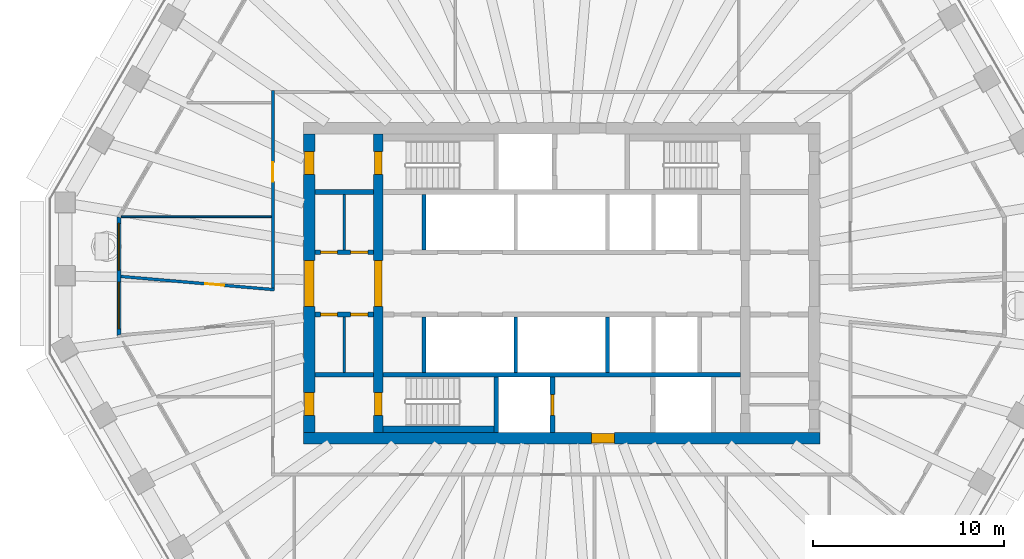
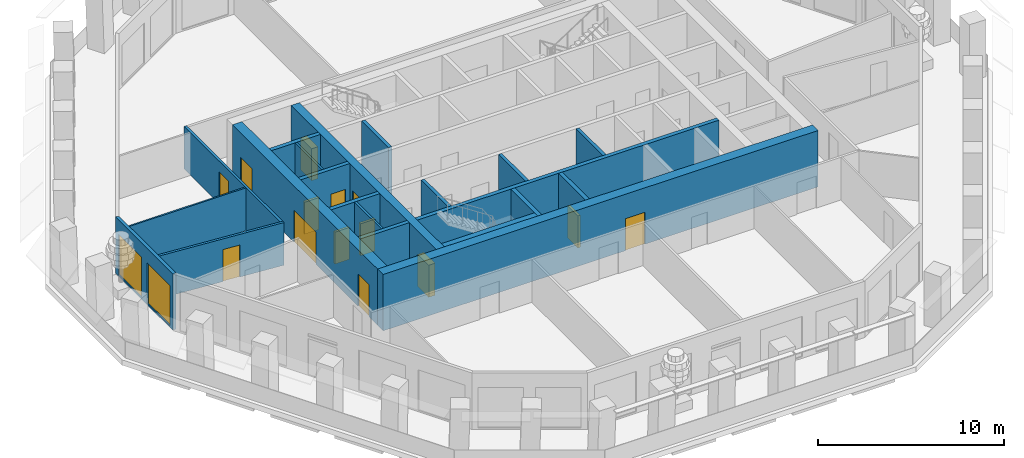
# One storey, part 4 of 12: 21 walls, 14 doors, 2 windows, 16 openings.
"""IFC4 building model written with IfcOpenShell, lengths in metres."""

from ifc_helpers import new_model, si_unit, direction, frame, frame_2d, origin, place, context, subcontext, project, spatial, polyline, rectangle, outline, extrude, material, layer, layer_set, type_object, element, fill, save


model = new_model("IFC4")

# Units and contexts
model_context = context("Model", 3, precision=1e-05, world=origin(), true_north=direction((0.0, 1.0)))
body_context = subcontext(model_context, "Body", "Model", "MODEL_VIEW")
ifc_project = project(units=[si_unit("LENGTHUNIT", "METRE"), si_unit("AREAUNIT", "SQUARE_METRE"), si_unit("VOLUMEUNIT", "CUBIC_METRE"), si_unit("PLANEANGLEUNIT", "RADIAN"), si_unit("MASSUNIT", "GRAM", prefix="KILO")], contexts=[model_context])

# Site, building, storey
site_placement = place(None, origin())
site = spatial("IfcSite", under=ifc_project, at=site_placement, CompositionType="ELEMENT")
building_placement = place(site_placement, origin())
building = spatial("IfcBuilding", under=site, at=building_placement, Name="Frailejon Research Tower", CompositionType="ELEMENT")
storey_placement = place(building_placement, frame((0.0, 0.0, 223.39990234375)))
storey = spatial("IfcBuildingStorey", under=building, at=storey_placement, Name="L48", CompositionType="ELEMENT", Elevation=223.39990234375)

# Walls
ifc_material_1 = material(Name="Plasterboard on steel studs", Category="steel")
ifc_layer_1 = layer(ifc_material_1, 0.125)
ifc_layer_set_1 = layer_set([ifc_layer_1], Name="Core partition 125")
wall_type_1 = type_object("IfcWallType", Name="Core partition 125", PredefinedType="PARTITIONING", material=ifc_layer_set_1)
for number, where, z_axis, x_axis, name in (
    (1, (-11.375, 1.75, 0.0), (0.0, 0.0, 1.0), (0.0, 1.0, 0.0), "Core partition"),
    (2, (-11.375, -4.64990234375, 0.0), (0.0, 0.0, 1.0), (0.0, 1.0, 0.0), "Core partition"),
):
    element("IfcWall", number, at=place(storey_placement, frame(where, z_axis=z_axis, x_axis=x_axis)), inside=storey, type_object=wall_type_1, Name=name, PredefinedType="PARTITIONING", context=body_context, shape_type="SweptSolid", body=[
        extrude(rectangle(XDim=2.89990234375, YDim=0.125, at=frame_2d((1.449951171875, 0.0))), origin(), (0.0, 0.0, 1.0), 3.7001953125),
    ])

# Wall, openings, doors
ifc_material_2 = material(Name="Concrete C60/75", Category="concrete")
ifc_layer_2 = layer(ifc_material_2, 0.5)
ifc_layer_set_2 = layer_set([ifc_layer_2], Name="Core shear wall 500 C60/75")
wall_type_2 = type_object("IfcWallType", Name="Core shear wall 500 C60/75", PredefinedType="SHEAR", material=ifc_layer_set_2)
wall_1_placement = place(storey_placement, frame((-9.60009765625, -7.800048828125, 0.0), z_axis=(0.0, 0.0, 1.0), x_axis=(0.0, 1.0, 0.0)))
wall_1 = element("IfcWall", 3, at=wall_1_placement, inside=storey, type_object=wall_type_2, Name="Core shear wall", PredefinedType="SHEAR", context=body_context, shape_type="SweptSolid", body=[
    extrude(rectangle(XDim=15.60009765625, YDim=0.5, at=frame_2d((7.800048828125, 0.0))), origin(), (0.0, 0.0, 1.0), 3.7001953125),
])
opening_1_placement = place(wall_1_placement, frame((6.60009765625, 0.0, 0.0)))
opening_1 = element("IfcOpeningElement", 4, at=opening_1_placement, cuts=wall_1, Name="Opening D2", PredefinedType="OPENING", context=body_context, shape_type="SweptSolid", body=[
    extrude(rectangle(XDim=2.39990234375, YDim=2.10009765625, at=frame_2d((1.199951171875, 1.050048828125))), frame((0.0, 0.260009765625, 0.0), z_axis=(0.0, -1.0, 0.0), x_axis=(1.0, 0.0, 0.0)), (0.0, 0.0, 1.0), 0.52001953125),
])
opening_2_placement = place(wall_1_placement, frame((13.5, 0.0, 0.0)))
opening_2 = element("IfcOpeningElement", 5, at=opening_2_placement, cuts=wall_1, Name="Opening D1", PredefinedType="OPENING", context=body_context, shape_type="SweptSolid", body=[
    extrude(rectangle(XDim=1.199951171875, YDim=2.10009765625, at=frame_2d((0.60009765625, 1.050048828125))), frame((0.0, 0.260009765625, 0.0), z_axis=(0.0, -1.0, 0.0), x_axis=(1.0, 0.0, 0.0)), (0.0, 0.0, 1.0), 0.52001953125),
])
opening_3_placement = place(wall_1_placement, frame((0.89990234375, 0.0, 0.0)))
opening_3 = element("IfcOpeningElement", 6, at=opening_3_placement, cuts=wall_1, Name="Opening D1", PredefinedType="OPENING", context=body_context, shape_type="SweptSolid", body=[
    extrude(rectangle(XDim=1.199951171875, YDim=2.10009765625, at=frame_2d((0.60009765625, 1.050048828125))), frame((0.0, 0.260009765625, 0.0), z_axis=(0.0, -1.0, 0.0), x_axis=(1.0, 0.0, 0.0)), (0.0, 0.0, 1.0), 0.52001953125),
])
ifc_material_3 = material(Name="Steel", Category="steel")
door_type_1 = type_object("IfcDoorType", Name="Lobby double door", OperationType="DOUBLE_DOOR_SINGLE_SWING", PredefinedType="DOOR", material=ifc_material_3)
door_1_placement = place(opening_1_placement, origin())
door_1 = element("IfcDoor", 7, at=door_1_placement, inside=storey, type_object=door_type_1, Name="Lobby door", OperationType="DOUBLE_DOOR_SINGLE_SWING", OverallHeight=2.10009765625, OverallWidth=2.39990234375, PredefinedType="DOOR", context=body_context, shape_type="SweptSolid", body=[
    extrude(rectangle(XDim=2.39990234375, YDim=2.10009765625, at=frame_2d((1.199951171875, 1.050048828125))), frame((0.0, 0.199951171875, 0.0), z_axis=(0.0, -1.0, 0.0), x_axis=(1.0, 0.0, 0.0)), (0.0, 0.0, 1.0), 0.39990234375),
])
fill(opening_1, door_1)
ifc_material_4 = material(Name="Steel", Category="steel")
door_type_2 = type_object("IfcDoorType", Name="Stair door", OperationType="SINGLE_SWING_LEFT", PredefinedType="DOOR", material=ifc_material_4)
door_2_placement = place(opening_2_placement, origin())
door_2 = element("IfcDoor", 8, at=door_2_placement, inside=storey, type_object=door_type_2, Name="Stair door ST1", OperationType="SINGLE_SWING_RIGHT", OverallHeight=2.10009765625, OverallWidth=1.199951171875, PredefinedType="DOOR", context=body_context, shape_type="SweptSolid", body=[
    extrude(rectangle(XDim=1.199951171875, YDim=2.10009765625, at=frame_2d((0.60009765625, 1.050048828125))), frame((0.0, 0.199951171875, 0.0), z_axis=(0.0, -1.0, 0.0), x_axis=(1.0, 0.0, 0.0)), (0.0, 0.0, 1.0), 0.39990234375),
])
fill(opening_2, door_2)
door_3_placement = place(opening_3_placement, origin())
door_3 = element("IfcDoor", 9, at=door_3_placement, inside=storey, type_object=door_type_2, Name="Stair door ST2", OperationType="SINGLE_SWING_RIGHT", OverallHeight=2.10009765625, OverallWidth=1.199951171875, PredefinedType="DOOR", context=body_context, shape_type="SweptSolid", body=[
    extrude(rectangle(XDim=1.199951171875, YDim=2.10009765625, at=frame_2d((0.60009765625, 1.050048828125))), frame((0.0, 0.199951171875, 0.0), z_axis=(0.0, -1.0, 0.0), x_axis=(1.0, 0.0, 0.0)), (0.0, 0.0, 1.0), 0.39990234375),
])
fill(opening_3, door_3)

# Wall, opening, door
ifc_material_5 = material(Name="Concrete C60/75", Category="concrete")
ifc_layer_3 = layer(ifc_material_5, 0.60009765625)
ifc_layer_set_3 = layer_set([ifc_layer_3], Name="Core shear wall 600 C60/75")
wall_type_3 = type_object("IfcWallType", Name="Core shear wall 600 C60/75", PredefinedType="SHEAR", material=ifc_layer_set_3)
wall_2_placement = place(storey_placement, frame((-13.5, -8.10009765625, 0.0), z_axis=(0.0, 0.0, 1.0), x_axis=(1.0, 0.0, 0.0)))
wall_2 = element("IfcWall", 10, at=wall_2_placement, inside=storey, type_object=wall_type_3, Name="Core shear wall", PredefinedType="SHEAR", context=body_context, shape_type="SweptSolid", body=[
    extrude(rectangle(XDim=27.0, YDim=0.60009765625, at=frame_2d((13.5, 0.0))), origin(), (0.0, 0.0, 1.0), 3.7001953125),
])
opening_4_placement = place(wall_2_placement, frame((15.050048828125, 0.0, 0.0)))
opening_4 = element("IfcOpeningElement", 11, at=opening_4_placement, cuts=wall_2, Name="Opening D3", PredefinedType="OPENING", context=body_context, shape_type="SweptSolid", body=[
    extrude(rectangle(XDim=1.199951171875, YDim=2.10009765625, at=frame_2d((0.60009765625, 1.050048828125))), frame((0.0, 0.31005859375, 0.0), z_axis=(0.0, -1.0, 0.0), x_axis=(1.0, 0.0, 0.0)), (0.0, 0.0, 1.0), 0.6201171875),
])
ifc_material_6 = material(Name="Steel", Category="steel")
door_type_3 = type_object("IfcDoorType", Name="Firefighting lobby door", OperationType="SINGLE_SWING_LEFT", PredefinedType="DOOR", material=ifc_material_6)
door_4_placement = place(opening_4_placement, origin())
door_4 = element("IfcDoor", 12, at=door_4_placement, inside=storey, type_object=door_type_3, Name="Firefighting lobby door", OperationType="SINGLE_SWING_RIGHT", OverallHeight=2.10009765625, OverallWidth=1.199951171875, PredefinedType="DOOR", context=body_context, shape_type="SweptSolid", body=[
    extrude(rectangle(XDim=1.199951171875, YDim=2.10009765625, at=frame_2d((0.60009765625, 1.050048828125))), frame((0.0, 0.25, 0.0), z_axis=(0.0, -1.0, 0.0), x_axis=(1.0, 0.0, 0.0)), (0.0, 0.0, 1.0), 0.5),
])
fill(opening_4, door_4)

# Wall, openings, doors
wall_3_placement = place(storey_placement, frame((-13.199951171875, -7.800048828125, 0.0), z_axis=(0.0, 0.0, 1.0), x_axis=(0.0, 1.0, 0.0)))
wall_3 = element("IfcWall", 13, at=wall_3_placement, inside=storey, type_object=wall_type_3, Name="Core shear wall", PredefinedType="SHEAR", context=body_context, shape_type="SweptSolid", body=[
    extrude(rectangle(XDim=15.60009765625, YDim=0.60009765625, at=frame_2d((7.800048828125, 0.0))), origin(), (0.0, 0.0, 1.0), 3.7001953125),
])
opening_5_placement = place(wall_3_placement, frame((6.60009765625, 0.0, 0.0)))
opening_5 = element("IfcOpeningElement", 14, at=opening_5_placement, cuts=wall_3, Name="Opening D2", PredefinedType="OPENING", context=body_context, shape_type="SweptSolid", body=[
    extrude(rectangle(XDim=2.39990234375, YDim=2.10009765625, at=frame_2d((1.199951171875, 1.050048828125))), frame((0.0, 0.31005859375, 0.0), z_axis=(0.0, -1.0, 0.0), x_axis=(1.0, 0.0, 0.0)), (0.0, 0.0, 1.0), 0.6201171875),
])
opening_6_placement = place(wall_3_placement, frame((13.5, 0.0, 0.0)))
opening_6 = element("IfcOpeningElement", 15, at=opening_6_placement, cuts=wall_3, Name="Opening D7", PredefinedType="OPENING", context=body_context, shape_type="SweptSolid", body=[
    extrude(rectangle(XDim=1.199951171875, YDim=2.10009765625, at=frame_2d((0.60009765625, 1.050048828125))), frame((0.0, 0.31005859375, 0.0), z_axis=(0.0, -1.0, 0.0), x_axis=(1.0, 0.0, 0.0)), (0.0, 0.0, 1.0), 0.6201171875),
])
opening_7_placement = place(wall_3_placement, frame((0.89990234375, 0.0, 0.0)))
opening_7 = element("IfcOpeningElement", 16, at=opening_7_placement, cuts=wall_3, Name="Opening D7", PredefinedType="OPENING", context=body_context, shape_type="SweptSolid", body=[
    extrude(rectangle(XDim=1.199951171875, YDim=2.10009765625, at=frame_2d((0.60009765625, 1.050048828125))), frame((0.0, 0.31005859375, 0.0), z_axis=(0.0, -1.0, 0.0), x_axis=(1.0, 0.0, 0.0)), (0.0, 0.0, 1.0), 0.6201171875),
])
door_5_placement = place(opening_5_placement, origin())
door_5 = element("IfcDoor", 17, at=door_5_placement, inside=storey, type_object=door_type_1, Name="Lobby door", OperationType="DOUBLE_DOOR_SINGLE_SWING", OverallHeight=2.10009765625, OverallWidth=2.39990234375, PredefinedType="DOOR", context=body_context, shape_type="SweptSolid", body=[
    extrude(rectangle(XDim=2.39990234375, YDim=2.10009765625, at=frame_2d((1.199951171875, 1.050048828125))), frame((0.0, 0.25, 0.0), z_axis=(0.0, -1.0, 0.0), x_axis=(1.0, 0.0, 0.0)), (0.0, 0.0, 1.0), 0.5),
])
fill(opening_5, door_5)
ifc_material_7 = material(Name="Steel", Category="steel")
door_type_4 = type_object("IfcDoorType", Name="Stair exit door", OperationType="SINGLE_SWING_LEFT", PredefinedType="DOOR", material=ifc_material_7)
door_6_placement = place(opening_6_placement, origin())
door_6 = element("IfcDoor", 18, at=door_6_placement, inside=storey, type_object=door_type_4, Name="Stair exit door ST1", OperationType="SINGLE_SWING_LEFT", OverallHeight=2.10009765625, OverallWidth=1.199951171875, PredefinedType="DOOR", context=body_context, shape_type="SweptSolid", body=[
    extrude(rectangle(XDim=1.199951171875, YDim=2.10009765625, at=frame_2d((0.60009765625, 1.050048828125))), frame((0.0, 0.25, 0.0), z_axis=(0.0, -1.0, 0.0), x_axis=(1.0, 0.0, 0.0)), (0.0, 0.0, 1.0), 0.5),
])
fill(opening_6, door_6)
door_7_placement = place(opening_7_placement, origin())
door_7 = element("IfcDoor", 19, at=door_7_placement, inside=storey, type_object=door_type_4, Name="Stair exit door ST2", OperationType="SINGLE_SWING_LEFT", OverallHeight=2.10009765625, OverallWidth=1.199951171875, PredefinedType="DOOR", context=body_context, shape_type="SweptSolid", body=[
    extrude(rectangle(XDim=1.199951171875, YDim=2.10009765625, at=frame_2d((0.60009765625, 1.050048828125))), frame((0.0, 0.25, 0.0), z_axis=(0.0, -1.0, 0.0), x_axis=(1.0, 0.0, 0.0)), (0.0, 0.0, 1.0), 0.5),
])
fill(opening_7, door_7)

# Wall, opening, door
ifc_material_8 = material(Name="Gypsum board and masonry partition", Category="masonry")
ifc_layer_4 = layer(ifc_material_8, 0.14990234375)
ifc_layer_set_4 = layer_set([ifc_layer_4], Name="Corridor wall EI 60, gypsum on steel studs 150")
wall_type_4 = type_object("IfcWallType", Name="Corridor wall EI 60, gypsum on steel studs 150", PredefinedType="PARTITIONING", material=ifc_layer_set_4)
wall_4_placement = place(storey_placement, frame((-15.10009765625, -0.24951171875, 0.0), z_axis=(0.0, 0.0, 1.0), x_axis=(0.0, 1.0, 0.0)))
wall_4 = element("IfcWall", 20, at=wall_4_placement, inside=storey, type_object=wall_type_4, Name="T:IW:L48:005", PredefinedType="PARTITIONING", context=body_context, shape_type="SweptSolid", body=[
    extrude(rectangle(XDim=10.324462890625, YDim=0.14990234375, at=frame_2d((5.162109375, 0.0))), origin(), (0.0, 0.0, 1.0), 2.800048828125),
])
opening_8_placement = place(wall_4_placement, frame((5.5732421875, 0.0, 0.0)))
opening_8 = element("IfcOpeningElement", 21, at=opening_8_placement, cuts=wall_4, Name="Opening D1980", PredefinedType="OPENING", context=body_context, shape_type="SweptSolid", body=[
    extrude(rectangle(XDim=1.0, YDim=2.10009765625, at=frame_2d((0.5, 1.050048828125))), frame((0.0, 0.0849609375, 0.0), z_axis=(0.0, -1.0, 0.0), x_axis=(1.0, 0.0, 0.0)), (0.0, 0.0, 1.0), 0.169921875),
])
ifc_material_9 = material(Name="Timber door leaf", Category="wood")
door_type_5 = type_object("IfcDoorType", Name="Door single leaf, timber, steel frame 1000", OperationType="NOTDEFINED", PredefinedType="DOOR", material=ifc_material_9)
door_8_placement = place(opening_8_placement, origin())
door_8 = element("IfcDoor", 22, at=door_8_placement, inside=storey, type_object=door_type_5, Name="D1980", OperationType="SINGLE_SWING_RIGHT", OverallHeight=2.10009765625, OverallWidth=1.0, PredefinedType="DOOR", context=body_context, shape_type="SweptSolid", body=[
    extrude(rectangle(XDim=1.0, YDim=2.10009765625, at=frame_2d((0.5, 1.050048828125))), frame((0.0, 0.02490234375, 0.0), z_axis=(0.0, -1.0, 0.0), x_axis=(1.0, 0.0, 0.0)), (0.0, 0.0, 1.0), 0.050048828125),
])
fill(opening_8, door_8)

wall_5_placement = place(storey_placement, frame((-23.052001953125, 0.35986328125, 0.0), z_axis=(0.0, 0.0, 1.0), x_axis=(0.996318303702, -0.085731194488, 0.0)))
wall_5 = element("IfcWall", 23, at=wall_5_placement, inside=storey, type_object=wall_type_4, Name="T:IW:L48:007", PredefinedType="PARTITIONING", context=body_context, shape_type="SweptSolid", body=[
    extrude(rectangle(XDim=8.05615234375, YDim=0.14990234375, at=frame_2d((4.028076171875, 0.0))), origin(), (0.0, 0.0, 1.0), 2.800048828125),
])
opening_9_placement = place(wall_5_placement, frame((4.43310546875, 0.0, 0.0)))
opening_9 = element("IfcOpeningElement", 24, at=opening_9_placement, cuts=wall_5, Name="Opening D1981", PredefinedType="OPENING", context=body_context, shape_type="SweptSolid", body=[
    extrude(rectangle(XDim=1.0, YDim=2.10009765625, at=frame_2d((0.5, 1.050048828125))), frame((0.0, 0.0849609375, 0.0), z_axis=(0.0, -1.0, 0.0), x_axis=(1.0, 0.0, 0.0)), (0.0, 0.0, 1.0), 0.169921875),
])
door_9_placement = place(opening_9_placement, origin())
door_9 = element("IfcDoor", 25, at=door_9_placement, inside=storey, type_object=door_type_5, Name="D1981", OperationType="SINGLE_SWING_RIGHT", OverallHeight=2.10009765625, OverallWidth=1.0, PredefinedType="DOOR", context=body_context, shape_type="SweptSolid", body=[
    extrude(rectangle(XDim=1.0, YDim=2.10009765625, at=frame_2d((0.5, 1.050048828125))), frame((0.0, 0.02490234375, 0.0), z_axis=(0.0, -1.0, 0.0), x_axis=(1.0, 0.0, 0.0)), (0.0, 0.0, 1.0), 0.050048828125),
])
fill(opening_9, door_9)

# Walls
ifc_material_10 = material(Name="Gypsum board and masonry partition", Category="masonry")
ifc_layer_5 = layer(ifc_material_10, 0.10009765625)
ifc_layer_set_5 = layer_set([ifc_layer_5], Name="Partition, gypsum on steel studs 100")
wall_type_5 = type_object("IfcWallType", Name="Partition, gypsum on steel studs 100", PredefinedType="PARTITIONING", material=ifc_layer_set_5)
wall_6_placement = place(storey_placement, frame((-23.021240234375, 3.48046875, 0.0), z_axis=(0.0, 0.0, 1.0), x_axis=(1.0, 0.0, 0.0)))
element("IfcWall", 26, at=wall_6_placement, inside=storey, type_object=wall_type_5, Name="T:IW:L48:017", PredefinedType="PARTITIONING", context=body_context, shape_type="SweptSolid", body=[
    extrude(rectangle(XDim=7.84619140625, YDim=0.10009765625, at=frame_2d((3.923095703125, 0.0))), origin(), (0.0, 0.0, 1.0), 2.800048828125),
])
ifc_material_11 = material(Name="Concrete C60/75", Category="concrete")
ifc_layer_6 = layer(ifc_material_11, 0.199951171875)
ifc_layer_set_6 = layer_set([ifc_layer_6], Name="Shaft wall 200 C60/75")
wall_type_6 = type_object("IfcWallType", Name="Shaft wall 200 C60/75", PredefinedType="SOLIDWALL", material=ifc_layer_set_6)
for number, where, z_axis, x_axis, name in (
    (27, (-7.199951171875, 1.75, 0.0), (0.0, 0.0, 1.0), (0.0, 1.0, 0.0), "Shaft wall"),
    (28, (-7.199951171875, -4.64990234375, 0.0), (0.0, 0.0, 1.0), (0.0, 1.0, 0.0), "Shaft wall"),
    (29, (-2.39990234375, -4.64990234375, 0.0), (0.0, 0.0, 1.0), (0.0, 1.0, 0.0), "Shaft wall"),
    (30, (2.39990234375, -4.64990234375, 0.0), (0.0, 0.0, 1.0), (0.0, 1.0, 0.0), "Shaft wall"),
):
    element("IfcWall", number, at=place(storey_placement, frame(where, z_axis=z_axis, x_axis=x_axis)), inside=storey, type_object=wall_type_6, Name=name, PredefinedType="SOLIDWALL", context=body_context, shape_type="SweptSolid", body=[
        extrude(rectangle(XDim=2.89990234375, YDim=0.199951171875, at=frame_2d((1.449951171875, 0.0))), origin(), (0.0, 0.0, 1.0), 3.7001953125),
    ])

# Wall, openings, doors
ifc_material_12 = material(Name="Concrete C60/75", Category="concrete")
ifc_layer_7 = layer(ifc_material_12, 0.25)
ifc_layer_set_7 = layer_set([ifc_layer_7], Name="Shaft wall 250 C60/75")
wall_type_7 = type_object("IfcWallType", Name="Shaft wall 250 C60/75", PredefinedType="SOLIDWALL", material=ifc_layer_set_7)
wall_7_placement = place(storey_placement, frame((-12.89990234375, 1.625, 0.0), z_axis=(0.0, 0.0, 1.0), x_axis=(1.0, 0.0, 0.0)))
wall_7 = element("IfcWall", 31, at=wall_7_placement, inside=storey, type_object=wall_type_7, Name="Shaft wall", PredefinedType="SOLIDWALL", context=body_context, shape_type="SweptSolid", body=[
    extrude(rectangle(XDim=3.0498046875, YDim=0.25, at=frame_2d((1.52490234375, 0.0))), origin(), (0.0, 0.0, 1.0), 3.7001953125),
])
opening_10_placement = place(wall_7_placement, frame((0.28125, 0.0, 0.0)))
opening_10 = element("IfcOpeningElement", 32, at=opening_10_placement, cuts=wall_7, Name="Opening D8", PredefinedType="OPENING", context=body_context, shape_type="SweptSolid", body=[
    extrude(rectangle(XDim=0.89990234375, YDim=2.10009765625, at=frame_2d((0.449951171875, 1.050048828125))), frame((0.0, 0.135009765625, 0.0), z_axis=(0.0, -1.0, 0.0), x_axis=(1.0, 0.0, 0.0)), (0.0, 0.0, 1.0), 0.27001953125),
])
opening_11_placement = place(wall_7_placement, frame((1.86865234375, 0.0, 0.0)))
opening_11 = element("IfcOpeningElement", 33, at=opening_11_placement, cuts=wall_7, Name="Opening D8", PredefinedType="OPENING", context=body_context, shape_type="SweptSolid", body=[
    extrude(rectangle(XDim=0.89990234375, YDim=2.10009765625, at=frame_2d((0.449951171875, 1.050048828125))), frame((0.0, 0.135009765625, 0.0), z_axis=(0.0, -1.0, 0.0), x_axis=(1.0, 0.0, 0.0)), (0.0, 0.0, 1.0), 0.27001953125),
])
ifc_material_13 = material(Name="Steel", Category="steel")
door_type_6 = type_object("IfcDoorType", Name="Core room door", OperationType="SINGLE_SWING_LEFT", PredefinedType="DOOR", material=ifc_material_13)
door_10_placement = place(opening_10_placement, origin())
door_10 = element("IfcDoor", 34, at=door_10_placement, inside=storey, type_object=door_type_6, Name="Room door", OperationType="SINGLE_SWING_LEFT", OverallHeight=2.10009765625, OverallWidth=0.89990234375, PredefinedType="DOOR", context=body_context, shape_type="SweptSolid", body=[
    extrude(rectangle(XDim=0.89990234375, YDim=2.10009765625, at=frame_2d((0.449951171875, 1.050048828125))), frame((0.0, 0.074951171875, 0.0), z_axis=(0.0, -1.0, 0.0), x_axis=(1.0, 0.0, 0.0)), (0.0, 0.0, 1.0), 0.14990234375),
])
fill(opening_10, door_10)
door_11_placement = place(opening_11_placement, origin())
door_11 = element("IfcDoor", 35, at=door_11_placement, inside=storey, type_object=door_type_6, Name="Room door", OperationType="SINGLE_SWING_RIGHT", OverallHeight=2.10009765625, OverallWidth=0.89990234375, PredefinedType="DOOR", context=body_context, shape_type="SweptSolid", body=[
    extrude(rectangle(XDim=0.89990234375, YDim=2.10009765625, at=frame_2d((0.449951171875, 1.050048828125))), frame((0.0, 0.074951171875, 0.0), z_axis=(0.0, -1.0, 0.0), x_axis=(1.0, 0.0, 0.0)), (0.0, 0.0, 1.0), 0.14990234375),
])
fill(opening_11, door_11)

# Wall
wall_8_placement = place(storey_placement, frame((-12.89990234375, 4.77490234375, 0.0), z_axis=(0.0, 0.0, 1.0), x_axis=(1.0, 0.0, 0.0)))
element("IfcWall", 36, at=wall_8_placement, inside=storey, type_object=wall_type_7, Name="Shaft wall", PredefinedType="SOLIDWALL", context=body_context, shape_type="SweptSolid", body=[
    extrude(rectangle(XDim=3.0498046875, YDim=0.25, at=frame_2d((1.52490234375, 0.0))), origin(), (0.0, 0.0, 1.0), 3.7001953125),
])

# Wall, openings, doors
wall_9_placement = place(storey_placement, frame((-12.89990234375, -1.625, 0.0), z_axis=(0.0, 0.0, 1.0), x_axis=(1.0, 0.0, 0.0)))
wall_9 = element("IfcWall", 37, at=wall_9_placement, inside=storey, type_object=wall_type_7, Name="Shaft wall", PredefinedType="SOLIDWALL", context=body_context, shape_type="SweptSolid", body=[
    extrude(rectangle(XDim=3.0498046875, YDim=0.25, at=frame_2d((1.52490234375, 0.0))), origin(), (0.0, 0.0, 1.0), 3.7001953125),
])
opening_12_placement = place(wall_9_placement, frame((0.28125, 0.0, 0.0)))
opening_12 = element("IfcOpeningElement", 38, at=opening_12_placement, cuts=wall_9, Name="Opening D8", PredefinedType="OPENING", context=body_context, shape_type="SweptSolid", body=[
    extrude(rectangle(XDim=0.89990234375, YDim=2.10009765625, at=frame_2d((0.449951171875, 1.050048828125))), frame((0.0, 0.135009765625, 0.0), z_axis=(0.0, -1.0, 0.0), x_axis=(1.0, 0.0, 0.0)), (0.0, 0.0, 1.0), 0.27001953125),
])
opening_13_placement = place(wall_9_placement, frame((1.86865234375, 0.0, 0.0)))
opening_13 = element("IfcOpeningElement", 39, at=opening_13_placement, cuts=wall_9, Name="Opening D8", PredefinedType="OPENING", context=body_context, shape_type="SweptSolid", body=[
    extrude(rectangle(XDim=0.89990234375, YDim=2.10009765625, at=frame_2d((0.449951171875, 1.050048828125))), frame((0.0, 0.135009765625, 0.0), z_axis=(0.0, -1.0, 0.0), x_axis=(1.0, 0.0, 0.0)), (0.0, 0.0, 1.0), 0.27001953125),
])
door_12_placement = place(opening_12_placement, origin())
door_12 = element("IfcDoor", 40, at=door_12_placement, inside=storey, type_object=door_type_6, Name="Room door", OperationType="SINGLE_SWING_RIGHT", OverallHeight=2.10009765625, OverallWidth=0.89990234375, PredefinedType="DOOR", context=body_context, shape_type="SweptSolid", body=[
    extrude(rectangle(XDim=0.89990234375, YDim=2.10009765625, at=frame_2d((0.449951171875, 1.050048828125))), frame((0.0, 0.074951171875, 0.0), z_axis=(0.0, -1.0, 0.0), x_axis=(1.0, 0.0, 0.0)), (0.0, 0.0, 1.0), 0.14990234375),
])
fill(opening_12, door_12)
door_13_placement = place(opening_13_placement, origin())
door_13 = element("IfcDoor", 41, at=door_13_placement, inside=storey, type_object=door_type_6, Name="Room door", OperationType="SINGLE_SWING_LEFT", OverallHeight=2.10009765625, OverallWidth=0.89990234375, PredefinedType="DOOR", context=body_context, shape_type="SweptSolid", body=[
    extrude(rectangle(XDim=0.89990234375, YDim=2.10009765625, at=frame_2d((0.449951171875, 1.050048828125))), frame((0.0, 0.074951171875, 0.0), z_axis=(0.0, -1.0, 0.0), x_axis=(1.0, 0.0, 0.0)), (0.0, 0.0, 1.0), 0.14990234375),
])
fill(opening_13, door_13)

# Walls
wall_10_placement = place(storey_placement, frame((-12.89990234375, -4.77490234375, 0.0), z_axis=(0.0, 0.0, 1.0), x_axis=(1.0, 0.0, 0.0)))
element("IfcWall", 42, at=wall_10_placement, inside=storey, type_object=wall_type_7, Name="Shaft wall", PredefinedType="SOLIDWALL", context=body_context, shape_type="SweptSolid", body=[
    extrude(rectangle(XDim=3.0498046875, YDim=0.25, at=frame_2d((1.52490234375, 0.0))), origin(), (0.0, 0.0, 1.0), 3.7001953125),
])
wall_11_placement = place(storey_placement, frame((-9.35009765625, -4.77490234375, 0.0), z_axis=(0.0, 0.0, 1.0), x_axis=(1.0, 0.0, 0.0)))
element("IfcWall", 43, at=wall_11_placement, inside=storey, type_object=wall_type_7, Name="Shaft wall", PredefinedType="SOLIDWALL", context=body_context, shape_type="SweptSolid", body=[
    extrude(rectangle(XDim=18.7001953125, YDim=0.25, at=frame_2d((9.35009765625, 0.0))), origin(), (0.0, 0.0, 1.0), 3.7001953125),
])
wall_12_placement = place(storey_placement, frame((-3.425048828125, -7.800048828125, 0.0), z_axis=(0.0, 0.0, 1.0), x_axis=(0.0, 1.0, 0.0)))
element("IfcWall", 44, at=wall_12_placement, inside=storey, type_object=wall_type_7, Name="Shaft wall", PredefinedType="SOLIDWALL", context=body_context, shape_type="SweptSolid", body=[
    extrude(rectangle(XDim=2.900146484375, YDim=0.25, at=frame_2d((1.4501953125, 0.0))), origin(), (0.0, 0.0, 1.0), 3.7001953125),
])

# Wall, opening, door
wall_13_placement = place(storey_placement, frame((-0.47509765625, -7.800048828125, 0.0), z_axis=(0.0, 0.0, 1.0), x_axis=(0.0, 1.0, 0.0)))
wall_13 = element("IfcWall", 45, at=wall_13_placement, inside=storey, type_object=wall_type_7, Name="Shaft wall", PredefinedType="SOLIDWALL", context=body_context, shape_type="SweptSolid", body=[
    extrude(rectangle(XDim=2.900146484375, YDim=0.25, at=frame_2d((1.4501953125, 0.0))), origin(), (0.0, 0.0, 1.0), 3.7001953125),
])
opening_14_placement = place(wall_13_placement, frame((0.89990234375, 0.0, 0.0)))
opening_14 = element("IfcOpeningElement", 46, at=opening_14_placement, cuts=wall_13, Name="Opening LD", PredefinedType="OPENING", context=body_context, shape_type="SweptSolid", body=[
    extrude(rectangle(XDim=1.10009765625, YDim=2.10009765625, at=frame_2d((0.550048828125, 1.050048828125))), frame((0.0, 0.135009765625, 0.0), z_axis=(0.0, -1.0, 0.0), x_axis=(1.0, 0.0, 0.0)), (0.0, 0.0, 1.0), 0.27001953125),
])
ifc_material_14 = material(Name="Steel", Category="steel")
door_type_7 = type_object("IfcDoorType", Name="Lift landing door", OperationType="DOUBLE_DOOR_SLIDING", PredefinedType="DOOR", material=ifc_material_14)
door_14_placement = place(opening_14_placement, origin())
door_14 = element("IfcDoor", 47, at=door_14_placement, inside=storey, type_object=door_type_7, Name="Lift landing door", OperationType="DOUBLE_DOOR_SLIDING", OverallHeight=2.10009765625, OverallWidth=1.10009765625, PredefinedType="DOOR", context=body_context, shape_type="SweptSolid", body=[
    extrude(rectangle(XDim=1.10009765625, YDim=2.10009765625, at=frame_2d((0.550048828125, 1.050048828125))), frame((0.0, 0.074951171875, 0.0), z_axis=(0.0, -1.0, 0.0), x_axis=(1.0, 0.0, 0.0)), (0.0, 0.0, 1.0), 0.14990234375),
])
fill(opening_14, door_14)

# Wall
ifc_material_15 = material(Name="Concrete C60/75", Category="concrete")
ifc_layer_8 = layer(ifc_material_15, 0.35009765625)
ifc_layer_set_8 = layer_set([ifc_layer_8], Name="Shaft wall 350 C60/75")
wall_type_8 = type_object("IfcWallType", Name="Shaft wall 350 C60/75", PredefinedType="SOLIDWALL", material=ifc_layer_set_8)
wall_14_placement = place(storey_placement, frame((-9.35009765625, -7.625, 0.0), z_axis=(0.0, 0.0, 1.0), x_axis=(1.0, 0.0, 0.0)))
element("IfcWall", 48, at=wall_14_placement, inside=storey, type_object=wall_type_8, Name="Shaft wall", PredefinedType="SOLIDWALL", context=body_context, shape_type="SweptSolid", body=[
    extrude(rectangle(XDim=5.800048828125, YDim=0.35009765625, at=frame_2d((2.89990234375, 0.0))), origin(), (0.0, 0.0, 1.0), 3.7001953125),
])

# Wall, openings, windows
ifc_material_16 = material(Name="Concrete C40/50 precast window wall panel", Category="concrete")
ifc_layer_9 = layer(ifc_material_16, 0.199951171875)
ifc_layer_set_9 = layer_set([ifc_layer_9], Name="Window wall 200")
wall_type_9 = type_object("IfcWallType", Name="Window wall 200", PredefinedType="SOLIDWALL", material=ifc_layer_set_9)
wall_15_placement = place(storey_placement, frame((-23.152099609375, 3.45361328125, 0.0), z_axis=(0.0, 0.0, 1.0), x_axis=(0.0, -1.0, 0.0)))
wall_15 = element("IfcWall", 49, at=wall_15_placement, inside=storey, type_object=wall_type_9, Name="Exterior wall L48", PredefinedType="SOLIDWALL", context=body_context, shape_type="SweptSolid", body=[
    extrude(outline(polyline([(-0.02685546875, -0.10009765625), (1.007568359375, -0.10009765625), (2.0419921875, -0.10009765625), (3.076416015625, -0.10009765625), (4.11083984375, -0.10009765625), (5.145263671875, -0.10009765625), (6.1796875, -0.10009765625), (6.1259765625, 0.10009765625), (5.109375, 0.10009765625), (4.093017578125, 0.10009765625), (3.076416015625, 0.10009765625), (2.059814453125, 0.10009765625), (1.04345703125, 0.10009765625), (0.02685546875, 0.10009765625), (-0.02685546875, -0.10009765625)])), origin(), (0.0, 0.0, 1.0), 3.7001953125),
])
opening_15_placement = place(wall_15_placement, frame((0.313232421875, 0.0, 0.10009765625)))
opening_15 = element("IfcOpeningElement", 50, at=opening_15_placement, cuts=wall_15, Name="Opening W17", PredefinedType="OPENING", context=body_context, shape_type="SweptSolid", body=[
    extrude(rectangle(XDim=2.449951171875, YDim=2.64990234375, at=frame_2d((1.22509765625, 1.324951171875))), frame((0.0, 0.10986328125, 0.0), z_axis=(0.0, -1.0, 0.0), x_axis=(1.0, 0.0, 0.0)), (0.0, 0.0, 1.0), 0.219970703125),
])
opening_16_placement = place(wall_15_placement, frame((3.3896484375, 0.0, 0.10009765625)))
opening_16 = element("IfcOpeningElement", 51, at=opening_16_placement, cuts=wall_15, Name="Opening W17", PredefinedType="OPENING", context=body_context, shape_type="SweptSolid", body=[
    extrude(rectangle(XDim=2.449951171875, YDim=2.64990234375, at=frame_2d((1.22509765625, 1.324951171875))), frame((0.0, 0.10986328125, 0.0), z_axis=(0.0, -1.0, 0.0), x_axis=(1.0, 0.0, 0.0)), (0.0, 0.0, 1.0), 0.219970703125),
])
ifc_material_17 = material(Name="Aluminium framed double glazing", Category="aluminium")
window_type = type_object("IfcWindowType", Name="Window 2450x2650", PartitioningType="SINGLE_PANEL", PredefinedType="WINDOW", material=ifc_material_17)
window_1_placement = place(opening_15_placement, origin())
window_1 = element("IfcWindow", 52, at=window_1_placement, inside=storey, type_object=window_type, Name="Window L48", OverallHeight=2.64990234375, OverallWidth=2.449951171875, PartitioningType="SINGLE_PANEL", PredefinedType="WINDOW", context=body_context, shape_type="SweptSolid", body=[
    extrude(rectangle(XDim=2.449951171875, YDim=2.64990234375, at=frame_2d((1.22509765625, 1.324951171875))), frame((0.0, 0.030029296875, 0.0), z_axis=(0.0, -1.0, 0.0), x_axis=(1.0, 0.0, 0.0)), (0.0, 0.0, 1.0), 0.06005859375),
])
fill(opening_15, window_1)
window_2_placement = place(opening_16_placement, origin())
window_2 = element("IfcWindow", 53, at=window_2_placement, inside=storey, type_object=window_type, Name="Window L48", OverallHeight=2.64990234375, OverallWidth=2.449951171875, PartitioningType="SINGLE_PANEL", PredefinedType="WINDOW", context=body_context, shape_type="SweptSolid", body=[
    extrude(rectangle(XDim=2.449951171875, YDim=2.64990234375, at=frame_2d((1.22509765625, 1.324951171875))), frame((0.0, 0.030029296875, 0.0), z_axis=(0.0, -1.0, 0.0), x_axis=(1.0, 0.0, 0.0)), (0.0, 0.0, 1.0), 0.06005859375),
])
fill(opening_16, window_2)

save(model, "model.ifc")
